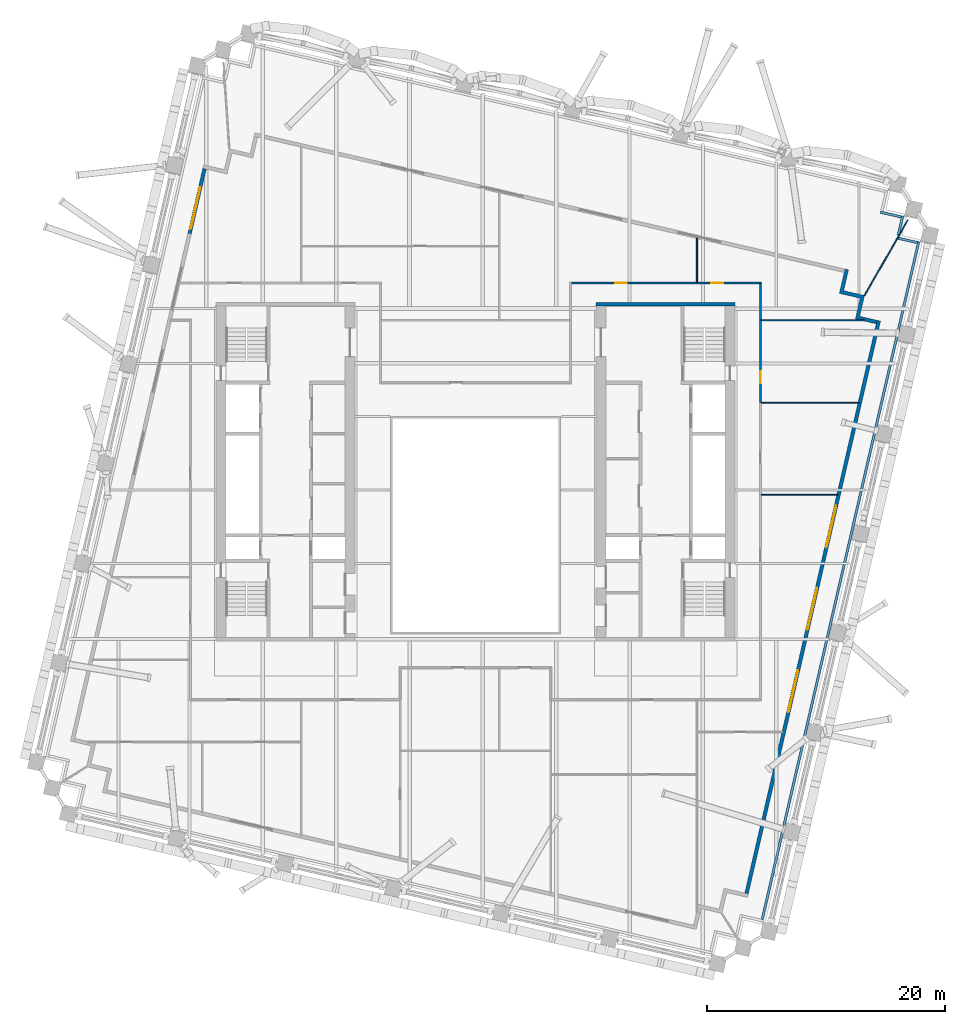
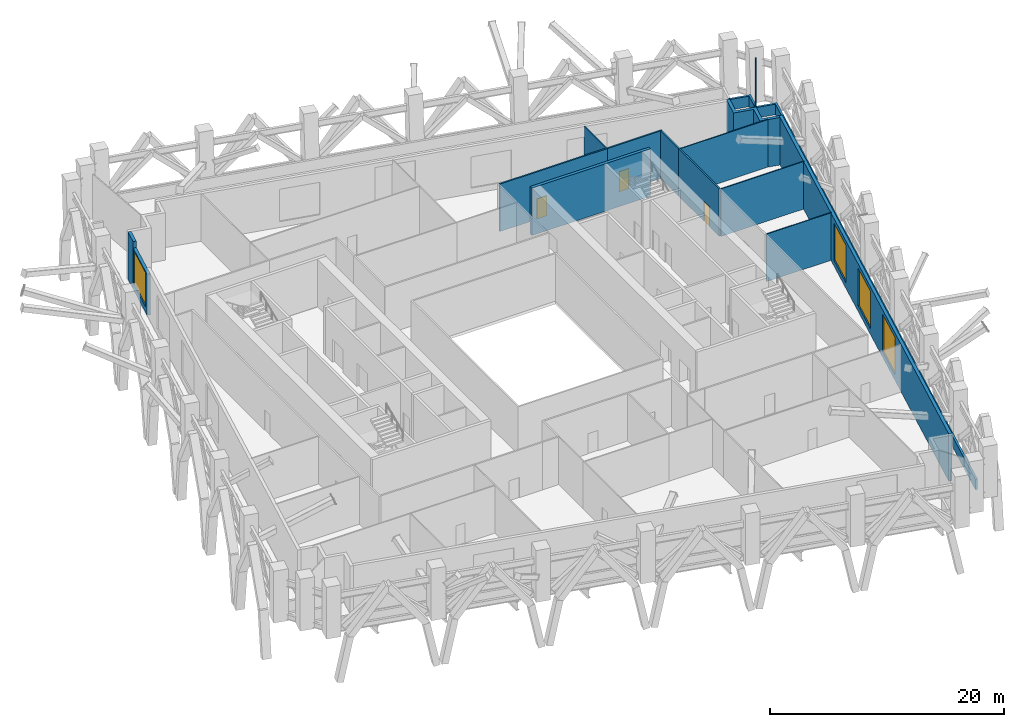
# One storey, part 10 of 20: 18 walls, 4 windows, 3 doors, 7 openings.
"""IFC4 building model written with IfcOpenShell, lengths in metres."""

from ifc_helpers import new_model, si_unit, direction, frame, frame_2d, origin, place, context, subcontext, project, spatial, polyline, rectangle, outline, extrude, material, layer, layer_set, type_object, element, fill, save


model = new_model("IFC4")

# Units and contexts
model_context = context("Model", 3, precision=1e-05, world=origin(), true_north=direction((0.0, 1.0)))
body_context = subcontext(model_context, "Body", "Model", "MODEL_VIEW")
ifc_project = project(units=[si_unit("LENGTHUNIT", "METRE"), si_unit("AREAUNIT", "SQUARE_METRE"), si_unit("VOLUMEUNIT", "CUBIC_METRE"), si_unit("PLANEANGLEUNIT", "RADIAN"), si_unit("MASSUNIT", "GRAM", prefix="KILO")], contexts=[model_context])

# Site, building, storey
site_placement = place(None, origin())
site = spatial("IfcSite", under=ifc_project, at=site_placement, CompositionType="ELEMENT")
building_placement = place(site_placement, origin())
building = spatial("IfcBuilding", under=site, at=building_placement, Name="Ogive Exchange Tower", CompositionType="ELEMENT")
storey_placement = place(building_placement, frame((0.0, 0.0, 160.199951171875)))
storey = spatial("IfcBuildingStorey", under=building, at=storey_placement, Name="L35", CompositionType="ELEMENT", Elevation=160.199951171875)

# Wall, opening, door
ifc_material_1 = material(Name="Fire partition EI 60 150")
ifc_layer_1 = layer(ifc_material_1, 0.14990234375)
ifc_layer_set_1 = layer_set([ifc_layer_1], Name="Fire partition EI 60 150")
wall_type_1 = type_object("IfcWallType", Name="Fire partition EI 60 150", PredefinedType="PARTITIONING", material=ifc_layer_set_1)
wall_1_placement = place(storey_placement, frame((8.074951171875, 27.39990234375, 0.0), z_axis=(0.0, 0.0, 1.0), x_axis=(1.0, 0.0, 0.0)))
wall_1 = element("IfcWall", 1, at=wall_1_placement, inside=storey, type_object=wall_type_1, Name="L35-PWL-044", PredefinedType="PARTITIONING", context=body_context, shape_type="SweptSolid", body=[
    extrude(rectangle(XDim=10.625, YDim=0.14990234375, at=frame_2d((5.3125, 0.0))), origin(), (0.0, 0.0, 1.0), 4.949951171875),
])
opening_1_placement = place(wall_1_placement, frame((3.675048828125, 0.0, 0.0)))
opening_1 = element("IfcOpeningElement", 2, at=opening_1_placement, cuts=wall_1, Name="Opening L35-I07", PredefinedType="OPENING", context=body_context, shape_type="SweptSolid", body=[
    extrude(rectangle(XDim=1.0, YDim=2.10009765625, at=frame_2d((0.5, 1.050048828125))), frame((0.0, 0.0849609375, 0.0), z_axis=(0.0, -1.0, 0.0), x_axis=(1.0, 0.0, 0.0)), (0.0, 0.0, 1.0), 0.169921875),
])
ifc_material_2 = material(Name="Fire door FD 30S 1000 x 2100")
door_type = type_object("IfcDoorType", Name="Fire door FD 30S 1000 x 2100", OperationType="NOTDEFINED", PredefinedType="DOOR", material=ifc_material_2)
door_1_placement = place(opening_1_placement, origin())
door_1 = element("IfcDoor", 3, at=door_1_placement, inside=storey, type_object=door_type, Name="L35-IDR-007", ObjectType="DT3", OperationType="SINGLE_SWING_RIGHT", OverallHeight=2.10009765625, OverallWidth=1.0, PredefinedType="DOOR", context=body_context, shape_type="SweptSolid", body=[
    extrude(rectangle(XDim=1.0, YDim=2.10009765625, at=frame_2d((0.5, 1.050048828125))), frame((0.0, 0.02490234375, 0.0), z_axis=(0.0, -1.0, 0.0), x_axis=(1.0, 0.0, 0.0)), (0.0, 0.0, 1.0), 0.050048828125),
])
fill(opening_1, door_1)

wall_2_placement = place(storey_placement, frame((18.699951171875, 27.39990234375, 0.0), z_axis=(0.0, 0.0, 1.0), x_axis=(1.0, 0.0, 0.0)))
wall_2 = element("IfcWall", 4, at=wall_2_placement, inside=storey, type_object=wall_type_1, Name="L35-PWL-051", PredefinedType="PARTITIONING", context=body_context, shape_type="SweptSolid", body=[
    extrude(rectangle(XDim=5.375, YDim=0.14990234375, at=frame_2d((2.6875, 0.0))), origin(), (0.0, 0.0, 1.0), 4.949951171875),
])
opening_2_placement = place(wall_2_placement, frame((1.14990234375, 0.0, 0.0)))
opening_2 = element("IfcOpeningElement", 5, at=opening_2_placement, cuts=wall_2, Name="Opening L35-I05", PredefinedType="OPENING", context=body_context, shape_type="SweptSolid", body=[
    extrude(rectangle(XDim=1.0, YDim=2.10009765625, at=frame_2d((0.5, 1.050048828125))), frame((0.0, 0.0849609375, 0.0), z_axis=(0.0, -1.0, 0.0), x_axis=(1.0, 0.0, 0.0)), (0.0, 0.0, 1.0), 0.169921875),
])
door_2_placement = place(opening_2_placement, origin())
door_2 = element("IfcDoor", 6, at=door_2_placement, inside=storey, type_object=door_type, Name="L35-IDR-005", ObjectType="DT3", OperationType="SINGLE_SWING_RIGHT", OverallHeight=2.10009765625, OverallWidth=1.0, PredefinedType="DOOR", context=body_context, shape_type="SweptSolid", body=[
    extrude(rectangle(XDim=1.0, YDim=2.10009765625, at=frame_2d((0.5, 1.050048828125))), frame((0.0, 0.02490234375, 0.0), z_axis=(0.0, -1.0, 0.0), x_axis=(1.0, 0.0, 0.0)), (0.0, 0.0, 1.0), 0.050048828125),
])
fill(opening_2, door_2)

wall_3_placement = place(storey_placement, frame((24.0, 24.300048828125, 0.0), z_axis=(0.0, 0.0, 1.0), x_axis=(0.0, -1.0, 0.0)))
wall_3 = element("IfcWall", 7, at=wall_3_placement, inside=storey, type_object=wall_type_1, Name="L35-PWL-057", PredefinedType="PARTITIONING", context=body_context, shape_type="SweptSolid", body=[
    extrude(rectangle(XDim=6.929931640625, YDim=0.14990234375, at=frame_2d((3.46484375, 0.0))), origin(), (0.0, 0.0, 1.0), 4.949951171875),
])
opening_3_placement = place(wall_3_placement, frame((4.330078125, 0.0, 0.0)))
opening_3 = element("IfcOpeningElement", 8, at=opening_3_placement, cuts=wall_3, Name="Opening L35-I04", PredefinedType="OPENING", context=body_context, shape_type="SweptSolid", body=[
    extrude(rectangle(XDim=1.0, YDim=2.10009765625, at=frame_2d((0.5, 1.050048828125))), frame((0.0, 0.0849609375, 0.0), z_axis=(0.0, -1.0, 0.0), x_axis=(1.0, 0.0, 0.0)), (0.0, 0.0, 1.0), 0.169921875),
])
door_3_placement = place(opening_3_placement, origin())
door_3 = element("IfcDoor", 9, at=door_3_placement, inside=storey, type_object=door_type, Name="L35-IDR-004", ObjectType="DT3", OperationType="SINGLE_SWING_LEFT", OverallHeight=2.10009765625, OverallWidth=1.0, PredefinedType="DOOR", context=body_context, shape_type="SweptSolid", body=[
    extrude(rectangle(XDim=1.0, YDim=2.10009765625, at=frame_2d((0.5, 1.050048828125))), frame((0.0, 0.02490234375, 0.0), z_axis=(0.0, -1.0, 0.0), x_axis=(1.0, 0.0, 0.0)), (0.0, 0.0, 1.0), 0.050048828125),
])
fill(opening_3, door_3)

# Wall
wall_4_placement = place(storey_placement, frame((24.0, 27.324951171875, 0.0), z_axis=(0.0, 0.0, 1.0), x_axis=(0.0, -1.0, 0.0)))
element("IfcWall", 10, at=wall_4_placement, inside=storey, type_object=wall_type_1, Name="L35-PWL-059", PredefinedType="PARTITIONING", context=body_context, shape_type="SweptSolid", body=[
    extrude(rectangle(XDim=3.02490234375, YDim=0.14990234375, at=frame_2d((1.512451171875, 0.0))), origin(), (0.0, 0.0, 1.0), 4.949951171875),
])

# Wall, openings, windows
ifc_material_3 = material(Name="Precast concrete C40/50", Category="concrete")
ifc_layer_2 = layer(ifc_material_3, 0.300048828125)
ifc_layer_set_2 = layer_set([ifc_layer_2], Name="Limestone-faced wall 300")
wall_type_2 = type_object("IfcWallType", Name="Limestone-faced wall 300", PredefinedType="STANDARD", material=ifc_layer_set_2)
wall_5_placement = place(storey_placement, frame((22.8203125, -24.015625, 0.0), z_axis=(0.0, 0.0, 1.0), x_axis=(0.224953880882, 0.974369412223, 0.0)))
wall_5 = element("IfcWall", 11, at=wall_5_placement, inside=storey, type_object=wall_type_2, Name="External wall E2", PredefinedType="STANDARD", context=body_context, shape_type="SweptSolid", body=[
    extrude(rectangle(XDim=49.500244140625, YDim=0.300048828125, at=frame_2d((24.75, 0.0))), origin(), (0.0, 0.0, 1.0), 4.949951171875),
])
opening_4_placement = place(wall_5_placement, frame((15.685791015625, 0.0, 0.60009765625)))
opening_4 = element("IfcOpeningElement", 12, at=opening_4_placement, cuts=wall_5, Name="Opening LV1", PredefinedType="OPENING", context=body_context, shape_type="SweptSolid", body=[
    extrude(rectangle(XDim=3.60009765625, YDim=3.89990234375, at=frame_2d((1.800048828125, 1.949951171875))), frame((0.0, 0.159912109375, 0.0), z_axis=(0.0, -1.0, 0.0), x_axis=(1.0, 0.0, 0.0)), (0.0, 0.0, 1.0), 0.320068359375),
])
opening_5_placement = place(wall_5_placement, frame((22.800048828125, 0.0, 0.60009765625)))
opening_5 = element("IfcOpeningElement", 13, at=opening_5_placement, cuts=wall_5, Name="Opening LV1", PredefinedType="OPENING", context=body_context, shape_type="SweptSolid", body=[
    extrude(rectangle(XDim=3.60009765625, YDim=3.89990234375, at=frame_2d((1.800048828125, 1.949951171875))), frame((0.0, 0.159912109375, 0.0), z_axis=(0.0, -1.0, 0.0), x_axis=(1.0, 0.0, 0.0)), (0.0, 0.0, 1.0), 0.320068359375),
])
opening_6_placement = place(wall_5_placement, frame((29.914306640625, 0.0, 0.60009765625)))
opening_6 = element("IfcOpeningElement", 14, at=opening_6_placement, cuts=wall_5, Name="Opening LV1", PredefinedType="OPENING", context=body_context, shape_type="SweptSolid", body=[
    extrude(rectangle(XDim=3.60009765625, YDim=3.89990234375, at=frame_2d((1.800048828125, 1.949951171875))), frame((0.0, 0.159912109375, 0.0), z_axis=(0.0, -1.0, 0.0), x_axis=(1.0, 0.0, 0.0)), (0.0, 0.0, 1.0), 0.320068359375),
])
ifc_material_4 = material(Name="Anodised aluminium louvre", Category="aluminium")
window_type_1 = type_object("IfcWindowType", Name="Plant louvre 3600 x 3900", PartitioningType="DOUBLE_PANEL_HORIZONTAL", PredefinedType="WINDOW", material=ifc_material_4)
window_1_placement = place(opening_4_placement, origin())
window_1 = element("IfcWindow", 15, at=window_1_placement, inside=storey, type_object=window_type_1, Name="Louvre E02", OverallHeight=3.89990234375, OverallWidth=3.60009765625, PartitioningType="DOUBLE_PANEL_HORIZONTAL", PredefinedType="WINDOW", context=body_context, shape_type="SweptSolid", body=[
    extrude(rectangle(XDim=3.60009765625, YDim=3.89990234375, at=frame_2d((1.800048828125, 1.949951171875))), frame((0.0, 0.030029296875, 0.0), z_axis=(0.0, -1.0, 0.0), x_axis=(1.0, 0.0, 0.0)), (0.0, 0.0, 1.0), 0.06005859375),
])
fill(opening_4, window_1)
window_2_placement = place(opening_5_placement, origin())
window_2 = element("IfcWindow", 16, at=window_2_placement, inside=storey, type_object=window_type_1, Name="Louvre E03", OverallHeight=3.89990234375, OverallWidth=3.60009765625, PartitioningType="DOUBLE_PANEL_HORIZONTAL", PredefinedType="WINDOW", context=body_context, shape_type="SweptSolid", body=[
    extrude(rectangle(XDim=3.60009765625, YDim=3.89990234375, at=frame_2d((1.800048828125, 1.949951171875))), frame((0.0, 0.030029296875, 0.0), z_axis=(0.0, -1.0, 0.0), x_axis=(1.0, 0.0, 0.0)), (0.0, 0.0, 1.0), 0.06005859375),
])
fill(opening_5, window_2)
window_3_placement = place(opening_6_placement, origin())
window_3 = element("IfcWindow", 17, at=window_3_placement, inside=storey, type_object=window_type_1, Name="Louvre E04", OverallHeight=3.89990234375, OverallWidth=3.60009765625, PartitioningType="DOUBLE_PANEL_HORIZONTAL", PredefinedType="WINDOW", context=body_context, shape_type="SweptSolid", body=[
    extrude(rectangle(XDim=3.60009765625, YDim=3.89990234375, at=frame_2d((1.800048828125, 1.949951171875))), frame((0.0, 0.030029296875, 0.0), z_axis=(0.0, -1.0, 0.0), x_axis=(1.0, 0.0, 0.0)), (0.0, 0.0, 1.0), 0.06005859375),
])
fill(opening_6, window_3)

# Walls
wall_6_placement = place(storey_placement, frame((-22.8203125, 37.015625, 0.0), z_axis=(0.0, 0.0, 1.0), x_axis=(-0.225001471411, -0.974358423714, 0.0)))
element("IfcWall", 18, at=wall_6_placement, inside=storey, type_object=wall_type_2, Name="External wall W4", PredefinedType="STANDARD", context=body_context, shape_type="SweptSolid", body=[
    extrude(rectangle(XDim=1.507080078125, YDim=0.300048828125, at=frame_2d((0.75341796875, 0.0))), origin(), (0.0, 0.0, 1.0), 4.949951171875),
])
wall_7_placement = place(storey_placement, origin())
element("IfcWall", 19, at=wall_7_placement, inside=storey, type_object=wall_type_2, Name="External corner wall C2", PredefinedType="STANDARD", context=body_context, shape_type="SweptSolid", body=[
    extrude(outline(polyline([(32.392822265625, 26.115966796875), (30.638916015625, 26.52099609375), (31.111328125, 28.56689453125), (31.40380859375, 28.49951171875), (30.998779296875, 26.74560546875), (32.752685546875, 26.3408203125), (32.34765625, 24.5869140625), (33.809326171875, 24.24951171875), (33.74169921875, 23.957275390625), (31.98779296875, 24.362060546875), (32.392822265625, 26.115966796875)])), origin(), (0.0, 0.0, 1.0), 4.949951171875),
])

# Wall, opening, window
wall_8_placement = place(storey_placement, frame((-23.159423828125, 35.547119140625, 0.0), z_axis=(0.0, 0.0, 1.0), x_axis=(-0.224981573037, -0.974363018486, 0.0)))
wall_8 = element("IfcWall", 20, at=wall_8_placement, inside=storey, type_object=wall_type_2, Name="External wall W4", PredefinedType="STANDARD", context=body_context, shape_type="SweptSolid", body=[
    extrude(rectangle(XDim=4.08984375, YDim=0.300048828125, at=frame_2d((2.044921875, 0.0))), origin(), (0.0, 0.0, 1.0), 4.27197265625),
])
opening_7_placement = place(wall_8_placement, frame((0.10009765625, 0.0, 0.60009765625)))
opening_7 = element("IfcOpeningElement", 21, at=opening_7_placement, cuts=wall_8, Name="Opening LV1E", PredefinedType="OPENING", context=body_context, shape_type="SweptSolid", body=[
    extrude(rectangle(XDim=3.60009765625, YDim=3.550048828125, at=frame_2d((1.800048828125, 1.77490234375))), frame((0.0, 0.159912109375, 0.0), z_axis=(0.0, -1.0, 0.0), x_axis=(1.0, 0.0, 0.0)), (0.0, 0.0, 1.0), 0.320068359375),
])
window_type_2 = type_object("IfcWindowType", Name="Plant louvre 3600 x 3550", PartitioningType="DOUBLE_PANEL_HORIZONTAL", PredefinedType="WINDOW", material=ifc_material_4)
window_4_placement = place(opening_7_placement, origin())
window_4 = element("IfcWindow", 22, at=window_4_placement, inside=storey, type_object=window_type_2, Name="Louvre W00", OverallHeight=3.550048828125, OverallWidth=3.60009765625, PartitioningType="DOUBLE_PANEL_HORIZONTAL", PredefinedType="WINDOW", context=body_context, shape_type="SweptSolid", body=[
    extrude(rectangle(XDim=3.60009765625, YDim=3.550048828125, at=frame_2d((1.800048828125, 1.77490234375))), frame((0.0, 0.030029296875, 0.0), z_axis=(0.0, -1.0, 0.0), x_axis=(1.0, 0.0, 0.0)), (0.0, 0.0, 1.0), 0.06005859375),
])
fill(opening_7, window_4)

# Walls
ifc_material_5 = material(Name="Laminated safety glass in steel frame", Category="steel")
ifc_layer_3 = layer(ifc_material_5, 0.10009765625)
ifc_layer_set_3 = layer_set([ifc_layer_3], Name="Loggia end screen 100")
wall_type_3 = type_object("IfcWallType", Name="Loggia end screen 100", PredefinedType="STANDARD", material=ifc_layer_set_3)
wall_9_placement = place(storey_placement, frame((32.752685546875, 26.3408203125, -0.050048828125), z_axis=(0.0, 0.0, 1.0), x_axis=(0.498186834491, 0.867069707659, 0.0)))
element("IfcWall", 23, at=wall_9_placement, inside=storey, type_object=wall_type_3, Name="Loggia end screen C2", PredefinedType="STANDARD", context=body_context, shape_type="SweptSolid", body=[
    extrude(rectangle(XDim=7.325927734375, YDim=0.10009765625, at=frame_2d((3.6630859375, 0.0))), origin(), (0.0, 0.0, 1.0), 5.0),
])
ifc_material_6 = material(Name="Partition 100 gypsum")
ifc_layer_4 = layer(ifc_material_6, 0.10009765625)
ifc_layer_set_4 = layer_set([ifc_layer_4], Name="Partition 100 gypsum")
wall_type_4 = type_object("IfcWallType", Name="Partition 100 gypsum", PredefinedType="PARTITIONING", material=ifc_layer_set_4)
wall_10_placement = place(storey_placement, frame((18.64990234375, 27.47509765625, 0.0), z_axis=(0.0, 0.0, 1.0), x_axis=(0.0, 1.0, 0.0)))
element("IfcWall", 24, at=wall_10_placement, inside=storey, type_object=wall_type_4, Name="L35-PWL-050", PredefinedType="PARTITIONING", context=body_context, shape_type="SweptSolid", body=[
    extrude(rectangle(XDim=3.743896484375, YDim=0.10009765625, at=frame_2d((1.8720703125, 0.0))), origin(), (0.0, 0.0, 1.0), 4.949951171875),
])
wall_11_placement = place(storey_placement, frame((24.074951171875, 9.550048828125, 0.0), z_axis=(0.0, 0.0, 1.0), x_axis=(1.0, 0.0, 0.0)))
element("IfcWall", 25, at=wall_11_placement, inside=storey, type_object=wall_type_4, Name="L35-PWL-054", PredefinedType="PARTITIONING", context=body_context, shape_type="SweptSolid", body=[
    extrude(rectangle(XDim=6.423095703125, YDim=0.10009765625, at=frame_2d((3.21142578125, 0.0))), origin(), (0.0, 0.0, 1.0), 4.949951171875),
])
wall_12_placement = place(storey_placement, frame((24.074951171875, 17.320068359375, 0.0), z_axis=(0.0, 0.0, 1.0), x_axis=(1.0, 0.0, 0.0)))
element("IfcWall", 26, at=wall_12_placement, inside=storey, type_object=wall_type_4, Name="L35-PWL-056", PredefinedType="PARTITIONING", context=body_context, shape_type="SweptSolid", body=[
    extrude(rectangle(XDim=8.217041015625, YDim=0.10009765625, at=frame_2d((4.1083984375, 0.0))), origin(), (0.0, 0.0, 1.0), 4.949951171875),
])
wall_13_placement = place(storey_placement, frame((24.074951171875, 24.25, 0.0), z_axis=(0.0, 0.0, 1.0), x_axis=(1.0, 0.0, 0.0)))
element("IfcWall", 27, at=wall_13_placement, inside=storey, type_object=wall_type_4, Name="L35-PWL-058", PredefinedType="PARTITIONING", context=body_context, shape_type="SweptSolid", body=[
    extrude(rectangle(XDim=8.64306640625, YDim=0.10009765625, at=frame_2d((4.321533203125, 0.0))), origin(), (0.0, 0.0, 1.0), 4.949951171875),
])
ifc_layer_5 = layer(ifc_material_3, 0.199951171875)
ifc_layer_set_5 = layer_set([ifc_layer_5], Name="Plant deck parapet 200")
wall_type_5 = type_object("IfcWallType", Name="Plant deck parapet 200", PredefinedType="STANDARD", material=ifc_layer_set_5)
wall_14_placement = place(storey_placement, frame((24.14306640625, -26.19921875, -0.050048828125), z_axis=(0.0, 0.0, 1.0), x_axis=(0.224952358158, 0.974369763775, 0.0)))
element("IfcWall", 28, at=wall_14_placement, inside=storey, type_object=wall_type_5, Name="Plant deck parapet 6", PredefinedType="STANDARD", context=body_context, shape_type="SweptSolid", body=[
    extrude(rectangle(XDim=58.5693359375, YDim=0.199951171875, at=frame_2d((29.28466796875, 0.0))), origin(), (0.0, 0.0, 1.0), 1.10009765625),
])
wall_15_placement = place(storey_placement, frame((37.1982421875, 30.7939453125, -0.050048828125), z_axis=(0.0, 0.0, 1.0), x_axis=(-0.974366129517, 0.224968099185, 0.0)))
element("IfcWall", 29, at=wall_15_placement, inside=storey, type_object=wall_type_5, Name="Plant deck parapet 7", PredefinedType="STANDARD", context=body_context, shape_type="SweptSolid", body=[
    extrude(rectangle(XDim=1.641845703125, YDim=0.199951171875, at=frame_2d((0.82080078125, 0.0))), origin(), (0.0, 0.0, 1.0), 1.10009765625),
])
wall_16_placement = place(storey_placement, frame((35.599609375, 31.426025390625, -0.050048828125), z_axis=(0.0, 0.0, 1.0), x_axis=(0.224881202691, 0.974386188673, 0.0)))
element("IfcWall", 30, at=wall_16_placement, inside=storey, type_object=wall_type_5, Name="Plant deck parapet 8", PredefinedType="STANDARD", context=body_context, shape_type="SweptSolid", body=[
    extrude(rectangle(XDim=1.6435546875, YDim=0.199951171875, at=frame_2d((0.82177734375, 0.0))), origin(), (0.0, 0.0, 1.0), 1.10009765625),
])
wall_17_placement = place(storey_placement, frame((35.849365234375, 32.95263671875, -0.050048828125), z_axis=(0.0, 0.0, 1.0), x_axis=(-0.974356896201, 0.225008086135, 0.0)))
element("IfcWall", 31, at=wall_17_placement, inside=storey, type_object=wall_type_5, Name="Plant deck parapet 9", PredefinedType="STANDARD", context=body_context, shape_type="SweptSolid", body=[
    extrude(rectangle(XDim=1.800048828125, YDim=0.199951171875, at=frame_2d((0.89990234375, 0.0))), origin(), (0.0, 0.0, 1.0), 1.10009765625),
])
ifc_material_7 = material(Name="Concrete C70/85", Category="concrete")
ifc_layer_6 = layer(ifc_material_7, 0.300048828125)
ifc_layer_set_6 = layer_set([ifc_layer_6], Name="RC core wall 300 C70/85")
wall_type_6 = type_object("IfcWallType", Name="RC core wall 300 C70/85", PredefinedType="SHEAR", material=ifc_layer_set_6)
wall_18_placement = place(storey_placement, frame((10.14990234375, 25.60009765625, 0.0), z_axis=(0.0, 0.0, 1.0), x_axis=(1.0, 0.0, 0.0)))
element("IfcWall", 32, at=wall_18_placement, inside=storey, type_object=wall_type_6, Name="E north end wall", PredefinedType="SHEAR", context=body_context, shape_type="SweptSolid", body=[
    extrude(rectangle(XDim=11.7001953125, YDim=0.300048828125, at=frame_2d((5.85009765625, 0.0))), origin(), (0.0, 0.0, 1.0), 4.949951171875),
])

save(model, "model.ifc")
